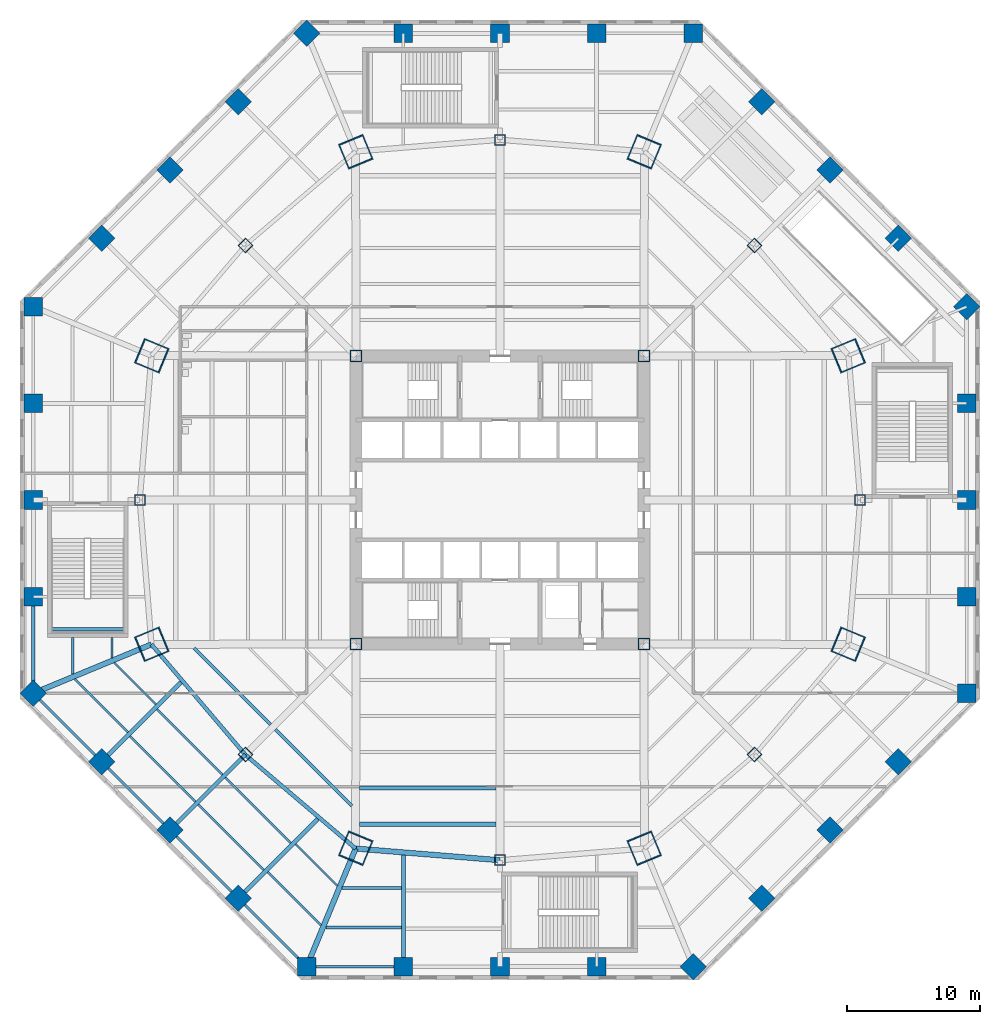
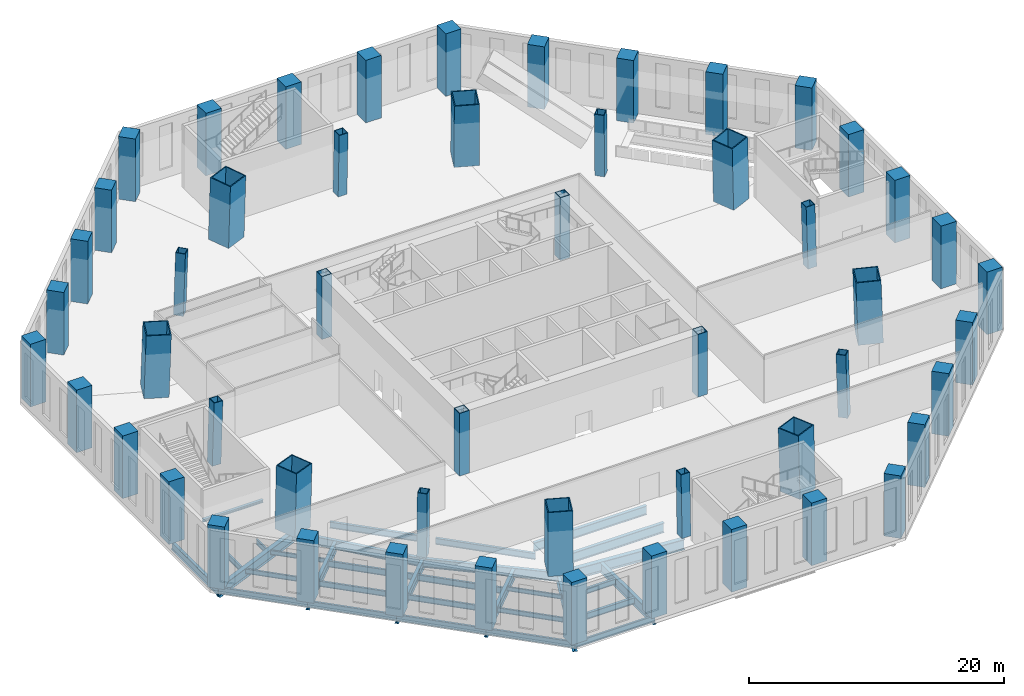
# One storey, part 1 of 20: 52 columns, 32 beams.
"""IFC4 building model written with IfcOpenShell, lengths in metres."""

import ifcopenshell
import ifcopenshell.guid

model = None  # the IFC model being written
_history = None  # IfcOwnerHistory: only IFC2X3 demands one
_inside = {}  # id of a spatial element -> (the spatial element, [elements in it])
_under = {}  # id of a project, library or spatial element -> (it, [spatial elements below it])
_declared = {}  # id of a project -> (the project, [libraries it declares])
_typed = {}  # id of a type object -> (the type object, [elements of that type])
_made_of = {}  # id of a material, layer set ... -> (it, [elements and type objects made of it])


def new_model(schema):
    """Start an empty IFC model of exactly this schema.

    Asked for "IFC4X3", IfcOpenShell would pick the latest addendum, in which some entities
    have other attributes; the version numbers below select the first issue.
    IFC2X3 requires an IfcOwnerHistory on every rooted entity: one is made here for all.
    """
    global model, _history
    if schema == "IFC4X3":
        model = ifcopenshell.file(schema_version=(4, 3, 0, 0))
    else:
        model = ifcopenshell.file(schema=schema)
    _inside.clear()
    _under.clear()
    _declared.clear()
    _typed.clear()
    _made_of.clear()
    _history = None
    if model.schema == "IFC2X3":
        org = make("IfcOrganization", Name="unknown")
        user = make(
            "IfcPersonAndOrganization",
            ThePerson=make("IfcPerson", FamilyName="unknown"),
            TheOrganization=org,
        )
        app = make(
            "IfcApplication",
            ApplicationDeveloper=org,
            Version="unknown",
            ApplicationFullName="unknown",
            ApplicationIdentifier="unknown",
        )
        _history = make(
            "IfcOwnerHistory",
            OwningUser=user,
            OwningApplication=app,
            ChangeAction="ADDED",
            CreationDate=0,
        )
    return model


def make(cls, **values):
    """One entity of the class cls with the attributes given. An attribute that is None is left unset."""
    return model.create_entity(
        cls, **{name: value for name, value in values.items() if value is not None}
    )


def rooted(cls, **values):
    """An entity with a GlobalId (a new one), such as an element, a storey or a relation."""
    return make(cls, GlobalId=ifcopenshell.guid.new(), OwnerHistory=_history, **values)


def si_unit(unit_type, name, prefix=None):
    """IfcSIUnit, for example si_unit("LENGTHUNIT", "METRE", prefix="MILLI")."""
    return make("IfcSIUnit", UnitType=unit_type, Prefix=prefix, Name=name)


def assignment(units):
    """IfcUnitAssignment: the units of a project."""
    return None if units is None else make("IfcUnitAssignment", Units=units)


def point(xyz):
    """IfcCartesianPoint."""
    return None if xyz is None else make("IfcCartesianPoint", Coordinates=xyz)


def direction(xyz):
    """IfcDirection."""
    return None if xyz is None else make("IfcDirection", DirectionRatios=xyz)


def frame(location, z_axis=None, x_axis=None):
    """IfcAxis2Placement3D, a coordinate frame: its origin and axes. An axis left out is left unset."""
    return make(
        "IfcAxis2Placement3D",
        Location=point(location),
        Axis=direction(z_axis),
        RefDirection=direction(x_axis),
    )


def frame_2d(location, x_axis=None):
    """IfcAxis2Placement2D, a coordinate frame in the plane: its origin and x axis."""
    return make(
        "IfcAxis2Placement2D", Location=point(location), RefDirection=direction(x_axis)
    )


def origin():
    """The frame at (0, 0, 0) with its axes left unset."""
    return frame((0.0, 0.0, 0.0))


def origin_2d():
    """The frame at (0, 0) in the plane with its x axis left unset."""
    return frame_2d((0.0, 0.0))


def place(relative_to, where):
    """IfcLocalPlacement: puts the frame where relative to a parent placement (None: the world)."""
    return make(
        "IfcLocalPlacement", PlacementRelTo=relative_to, RelativePlacement=where
    )


def context(
    kind, dimensions, precision=None, world=None, true_north=None, identifier=None
):
    """IfcGeometricRepresentationContext, for example the 3D "Model" context."""
    return make(
        "IfcGeometricRepresentationContext",
        ContextIdentifier=identifier,
        ContextType=kind,
        CoordinateSpaceDimension=dimensions,
        Precision=precision,
        WorldCoordinateSystem=world,
        TrueNorth=true_north,
    )


def subcontext(parent, identifier, kind, view, scale=None):
    """IfcGeometricRepresentationSubContext, for example "Body" below "Model"."""
    return make(
        "IfcGeometricRepresentationSubContext",
        ContextIdentifier=identifier,
        ContextType=kind,
        ParentContext=parent,
        TargetScale=scale,
        TargetView=view,
    )


def project(units=None, contexts=None):
    """IfcProject with its units and contexts."""
    return rooted(
        "IfcProject",
        Name="project",
        RepresentationContexts=contexts,
        UnitsInContext=assignment(units),
    )


def spatial(cls, under=None, at=None, **own):
    """A site, building, storey or space (cls), placed at a placement, below another one or the project."""
    s = rooted(cls, ObjectPlacement=at, **own)
    if under is not None:
        _under.setdefault(under.id(), (under, []))[1].append(s)
    return s


def profile(cls, at=None, kind="AREA", **sizes):
    """A parametric profile (cls). Its sizes go by their IFC names, for example OverallWidth=200.0."""
    return make(cls, ProfileType=kind, Position=at, **sizes)


def rectangle(**sizes):
    """IfcRectangleProfileDef."""
    return profile("IfcRectangleProfileDef", **sizes)


def hollow_rectangle(**sizes):
    """IfcRectangleHollowProfileDef."""
    return profile("IfcRectangleHollowProfileDef", **sizes)


def i_section(**sizes):
    """IfcIShapeProfileDef."""
    return profile("IfcIShapeProfileDef", **sizes)


def extrude(swept, where, along, depth):
    """IfcExtrudedAreaSolid: the profile swept, set in the frame where, extruded along a direction by depth."""
    return make(
        "IfcExtrudedAreaSolid",
        SweptArea=swept,
        Position=where,
        ExtrudedDirection=direction(along),
        Depth=depth,
    )


def shape(context_of_items, identifier, shape_type, items):
    """IfcShapeRepresentation: the items that make up one representation, for example the "Body"."""
    return make(
        "IfcShapeRepresentation",
        ContextOfItems=context_of_items,
        RepresentationIdentifier=identifier,
        RepresentationType=shape_type,
        Items=items,
    )


def material(Name=None, Category=None):
    """IfcMaterial."""
    return make("IfcMaterial", Name=Name, Category=Category)


def material_profile(
    of_material, cross_section, Name=None, Category=None, Priority=None
):
    """IfcMaterialProfile: a cross section and its material."""
    return make(
        "IfcMaterialProfile",
        Name=Name,
        Material=of_material,
        Profile=cross_section,
        Priority=Priority,
        Category=Category,
    )


def profile_set(profiles, Name=None, composite=None):
    """IfcMaterialProfileSet."""
    return make(
        "IfcMaterialProfileSet",
        Name=Name,
        MaterialProfiles=profiles,
        CompositeProfile=composite,
    )


def made_of(thing, what):
    """Note that an element or type object is made of a material, layer set ...; save() writes the relation."""
    if what is not None:
        _made_of.setdefault(what.id(), (what, []))[1].append(thing)
    return thing


def type_object(cls, material=None, **own):
    """A type object (cls), such as IfcWallType, which elements share."""
    return made_of(rooted(cls, **own), material)


def element(
    cls,
    number,
    at=None,
    inside=None,
    cuts=None,
    type_object=None,
    material=None,
    context=None,
    identifier="Body",
    shape_type=None,
    held_by="IfcProductDefinitionShape",
    body=None,
    shapes=None,
    **own,
):
    """One element of the class cls, such as IfcWall. Its Tag is "e" and its number.

    at: its placement. inside: the storey or other place that contains it. cuts: it is an
    opening in that element (IfcRelVoidsElement). A single representation is given by context,
    identifier, shape_type and body (its items); several are given by shapes. held_by: the class
    of the entity that holds the representations. save() writes the other relations.
    """
    e = rooted(cls, Tag="e%d" % number, ObjectPlacement=at, **own)
    if body is not None:
        shapes = [shape(context, identifier, shape_type, body)]
    if shapes is not None:
        e.Representation = make(held_by, Representations=shapes)
    if inside is not None:
        _inside.setdefault(inside.id(), (inside, []))[1].append(e)
    if cuts is not None:
        rooted(
            "IfcRelVoidsElement", RelatingBuildingElement=cuts, RelatedOpeningElement=e
        )
    if type_object is not None:
        _typed.setdefault(type_object.id(), (type_object, []))[1].append(e)
    return made_of(e, material)


def aggregate(whole, parts):
    """IfcRelAggregates: a whole, such as a stair, and the parts it consists of."""
    return rooted("IfcRelAggregates", RelatingObject=whole, RelatedObjects=parts)


def save(model, path):
    """Write the relations noted so far, then the file.

    IfcRelAggregates (storeys below a building ...), IfcRelContainedInSpatialStructure (elements
    in a storey), IfcRelDefinesByType, IfcRelAssociatesMaterial and IfcRelDeclares: one each for
    every whole, place, type object, material and project.
    """
    for whole, parts in _under.values():
        aggregate(whole, parts)
    for where, things in _inside.values():
        rooted(
            "IfcRelContainedInSpatialStructure",
            RelatedElements=things,
            RelatingStructure=where,
        )
    for kind, things in _typed.values():
        rooted("IfcRelDefinesByType", RelatedObjects=things, RelatingType=kind)
    for what, things in _made_of.values():
        rooted("IfcRelAssociatesMaterial", RelatedObjects=things, RelatingMaterial=what)
    for by, libraries in _declared.values():
        rooted("IfcRelDeclares", RelatingContext=by, RelatedDefinitions=libraries)
    model.write(path)


model = new_model("IFC4")

# Units and contexts
model_context = context("Model", 3, precision=1e-05, world=origin(), true_north=direction((0.0, 1.0)))
body_context = subcontext(model_context, "Body", "Model", "MODEL_VIEW")
ifc_project = project(units=[si_unit("LENGTHUNIT", "METRE"), si_unit("AREAUNIT", "SQUARE_METRE"), si_unit("VOLUMEUNIT", "CUBIC_METRE"), si_unit("PLANEANGLEUNIT", "RADIAN"), si_unit("MASSUNIT", "GRAM", prefix="KILO")], contexts=[model_context])

# Site, building, storey
site_placement = place(None, origin())
site = spatial("IfcSite", under=ifc_project, at=site_placement, CompositionType="ELEMENT")
building_placement = place(site_placement, origin())
building = spatial("IfcBuilding", under=site, at=building_placement, Name="Mashrafa Tower", CompositionType="ELEMENT")
storey_placement = place(building_placement, frame((0.0, 0.0, 7.199951171875)))
storey = spatial("IfcBuildingStorey", under=building, at=storey_placement, Name="L01", CompositionType="ELEMENT", Elevation=7.199951171875)

# Columns
ifc_material_1 = material(Name="Steel ASTM A572 Gr 50", Category="steel")
ifc_material_profile_1 = material_profile(ifc_material_1, hollow_rectangle(XDim=0.89990234375, YDim=0.89990234375, WallThickness=0.06005859375, at=origin_2d()), Name="BOX900X900X60")
ifc_profile_set_1 = profile_set([ifc_material_profile_1], Name="Steel ASTM A572 Gr 50")
column_type_1 = type_object("IfcColumnType", Name="Core corner column BOX900X900X60", PredefinedType="COLUMN", material=ifc_profile_set_1)
for number, where, z_axis, x_axis, name in (
    (1, (10.800048828125, 10.800048828125, 0.0), (0.0, 0.0, 1.0), (1.0, 0.0, 0.0), "Core corner column CC-NE L01"),
    (2, (-10.800048828125, 10.800048828125, 0.0), (0.0, 0.0, 1.0), (1.0, 0.0, 0.0), "Core corner column CC-NW L01"),
    (3, (-10.800048828125, -10.800048828125, 0.0), (0.0, 0.0, 1.0), (1.0, 0.0, 0.0), "Core corner column CC-SW L01"),
    (4, (10.800048828125, -10.800048828125, 0.0), (0.0, 0.0, 1.0), (1.0, 0.0, 0.0), "Core corner column CC-SE L01"),
):
    element("IfcColumn", number, at=place(storey_placement, frame(where, z_axis=z_axis, x_axis=x_axis)), inside=storey, type_object=column_type_1, Name=name, PredefinedType="COLUMN", context=body_context, shape_type="SweptSolid", body=[
        extrude(hollow_rectangle(XDim=0.89990234375, YDim=0.89990234375, WallThickness=0.06005859375, at=origin_2d()), origin(), (0.0, 0.0, 1.0), 6.0),
    ])
ifc_material_2 = material(Name="Steel ASTM A572 Gr 50", Category="steel")
ifc_material_profile_2 = material_profile(ifc_material_2, hollow_rectangle(XDim=2.0, YDim=2.0, WallThickness=0.090087890625, at=origin_2d()), Name="BOX2000X2000X90")
ifc_profile_set_2 = profile_set([ifc_material_profile_2], Name="Steel ASTM A572 Gr 50")
column_type_2 = type_object("IfcColumnType", Name="Mega column CFST BOX2000X2000X90", PredefinedType="COLUMN", material=ifc_profile_set_2)
for number, where, z_axis, x_axis, name in (
    (5, (26.1328125, 10.824462890625, 0.0), (-0.028266381762, -0.011713263234, 0.999531795956), (0.38282136346, -0.923822387517, 0.0), "Mega column MC1 L01"),
    (6, (10.824462890625, 26.1328125, 0.0), (-0.011713263234, -0.028266381762, 0.999531795956), (0.923822387517, -0.38282136346, 0.0), "Mega column MC2 L01"),
    (7, (-10.824462890625, 26.1328125, 0.0), (0.011713263234, -0.028266381762, 0.999531795956), (0.923822387517, 0.38282136346, 0.0), "Mega column MC3 L01"),
    (8, (-26.1328125, 10.824462890625, 0.0), (0.028266381762, -0.011713263234, 0.999531795956), (0.38282136346, 0.923822387517, 0.0), "Mega column MC4 L01"),
    (9, (-26.1328125, -10.824462890625, 0.0), (0.028266381762, 0.011713263234, 0.999531795956), (-0.38282136346, 0.923822387517, 0.0), "Mega column MC5 L01"),
    (10, (-10.824462890625, -26.1328125, 0.0), (0.011713263234, 0.028266381762, 0.999531795956), (-0.923822387517, 0.38282136346, 0.0), "Mega column MC6 L01"),
    (11, (10.824462890625, -26.1328125, 0.0), (-0.011713263234, 0.028266381762, 0.999531795956), (-0.923822387517, -0.38282136346, 0.0), "Mega column MC7 L01"),
    (12, (26.1328125, -10.824462890625, 0.0), (-0.028266381762, 0.011713263234, 0.999531795956), (-0.38282136346, -0.923822387517, 0.0), "Mega column MC8 L01"),
):
    element("IfcColumn", number, at=place(storey_placement, frame(where, z_axis=z_axis, x_axis=x_axis)), inside=storey, type_object=column_type_2, Name=name, PredefinedType="COLUMN", context=body_context, shape_type="SweptSolid", body=[
        extrude(hollow_rectangle(XDim=2.0, YDim=2.0, WallThickness=0.090087890625, at=origin_2d()), origin(), (0.0, 0.0, 1.0), 6.0029296875),
    ])
ifc_material_3 = material(Name="Concrete C50/60", Category="concrete")
ifc_material_profile_3 = material_profile(ifc_material_3, rectangle(XDim=1.39990234375, YDim=1.39990234375, at=origin_2d()), Name="RC1400X1400")
ifc_profile_set_3 = profile_set([ifc_material_profile_3], Name="Concrete C50/60")
column_type_3 = type_object("IfcColumnType", Name="Podium column RC1400X1400", PredefinedType="COLUMN", material=ifc_profile_set_3)
for number, where, z_axis, x_axis, name in (
    (13, (35.0, -14.49755859375, 0.0), (0.0, 0.0, 1.0), (1.0, 0.0, 0.0), "Podium column PC01 L01"),
    (14, (35.0, -7.248779296875, 0.0), (0.0, 0.0, 1.0), (1.0, 0.0, 0.0), "Podium column PC02 L01"),
    (15, (35.0, 0.0, 0.0), (0.0, 0.0, 1.0), (1.0, 0.0, 0.0), "Podium column PC03 L01"),
    (16, (35.0, 7.248779296875, 0.0), (0.0, 0.0, 1.0), (1.0, 0.0, 0.0), "Podium column PC04 L01"),
    (17, (35.0, 14.49755859375, 0.0), (0.0, 0.0, 1.0), (0.707106781187, 0.707106781187, 0.0), "Podium column PC05 L01"),
    (18, (29.874267578125, 19.623046875, 0.0), (0.0, 0.0, 1.0), (0.707106781187, 0.707106781187, 0.0), "Podium column PC06 L01"),
    (19, (24.748779296875, 24.748779296875, 0.0), (0.0, 0.0, 1.0), (0.707106781187, 0.707106781187, 0.0), "Podium column PC07 L01"),
    (20, (19.623046875, 29.874267578125, 0.0), (0.0, 0.0, 1.0), (0.707106781187, 0.707106781187, 0.0), "Podium column PC08 L01"),
    (21, (14.49755859375, 35.0, 0.0), (0.0, 0.0, 1.0), (1.0, 0.0, 0.0), "Podium column PC09 L01"),
    (22, (7.248779296875, 35.0, 0.0), (0.0, 0.0, 1.0), (1.0, 0.0, 0.0), "Podium column PC10 L01"),
    (23, (0.0, 35.0, 0.0), (0.0, 0.0, 1.0), (1.0, 0.0, 0.0), "Podium column PC11 L01"),
    (24, (-7.248779296875, 35.0, 0.0), (0.0, 0.0, 1.0), (1.0, 0.0, 0.0), "Podium column PC12 L01"),
    (25, (-14.49755859375, 35.0, 0.0), (0.0, 0.0, 1.0), (0.707106781187, 0.707106781187, 0.0), "Podium column PC13 L01"),
    (26, (-19.623046875, 29.874267578125, 0.0), (0.0, 0.0, 1.0), (0.707106781187, 0.707106781187, 0.0), "Podium column PC14 L01"),
    (27, (-24.748779296875, 24.748779296875, 0.0), (0.0, 0.0, 1.0), (0.707106781187, 0.707106781187, 0.0), "Podium column PC15 L01"),
    (28, (-29.874267578125, 19.623046875, 0.0), (0.0, 0.0, 1.0), (0.707106781187, 0.707106781187, 0.0), "Podium column PC16 L01"),
    (29, (-35.0, 14.49755859375, 0.0), (0.0, 0.0, 1.0), (1.0, 0.0, 0.0), "Podium column PC17 L01"),
    (30, (-35.0, 7.248779296875, 0.0), (0.0, 0.0, 1.0), (1.0, 0.0, 0.0), "Podium column PC18 L01"),
    (31, (-35.0, 0.0, 0.0), (0.0, 0.0, 1.0), (1.0, 0.0, 0.0), "Podium column PC19 L01"),
    (32, (-35.0, -7.248779296875, 0.0), (0.0, 0.0, 1.0), (1.0, 0.0, 0.0), "Podium column PC20 L01"),
    (33, (-35.0, -14.49755859375, 0.0), (0.0, 0.0, 1.0), (0.707106781187, 0.707106781187, 0.0), "Podium column PC21 L01"),
    (34, (-29.874267578125, -19.623046875, 0.0), (0.0, 0.0, 1.0), (0.707106781187, 0.707106781187, 0.0), "Podium column PC22 L01"),
    (35, (-24.748779296875, -24.748779296875, 0.0), (0.0, 0.0, 1.0), (0.707106781187, 0.707106781187, 0.0), "Podium column PC23 L01"),
    (36, (-19.623046875, -29.874267578125, 0.0), (0.0, 0.0, 1.0), (0.707106781187, 0.707106781187, 0.0), "Podium column PC24 L01"),
    (37, (-14.49755859375, -35.0, 0.0), (0.0, 0.0, 1.0), (1.0, 0.0, 0.0), "Podium column PC25 L01"),
    (38, (-7.248779296875, -35.0, 0.0), (0.0, 0.0, 1.0), (1.0, 0.0, 0.0), "Podium column PC26 L01"),
    (39, (0.0, -35.0, 0.0), (0.0, 0.0, 1.0), (1.0, 0.0, 0.0), "Podium column PC27 L01"),
    (40, (7.248779296875, -35.0, 0.0), (0.0, 0.0, 1.0), (1.0, 0.0, 0.0), "Podium column PC28 L01"),
    (41, (14.49755859375, -35.0, 0.0), (0.0, 0.0, 1.0), (0.707106781187, 0.707106781187, 0.0), "Podium column PC29 L01"),
    (42, (19.623046875, -29.874267578125, 0.0), (0.0, 0.0, 1.0), (0.707106781187, 0.707106781187, 0.0), "Podium column PC30 L01"),
    (43, (24.748779296875, -24.748779296875, 0.0), (0.0, 0.0, 1.0), (0.707106781187, 0.707106781187, 0.0), "Podium column PC31 L01"),
    (44, (29.874267578125, -19.623046875, 0.0), (0.0, 0.0, 1.0), (0.707106781187, 0.707106781187, 0.0), "Podium column PC32 L01"),
):
    element("IfcColumn", number, at=place(storey_placement, frame(where, z_axis=z_axis, x_axis=x_axis)), inside=storey, type_object=column_type_3, Name=name, PredefinedType="COLUMN", context=body_context, shape_type="SweptSolid", body=[
        extrude(rectangle(XDim=1.39990234375, YDim=1.39990234375, at=origin_2d()), origin(), (0.0, 0.0, 1.0), 6.0),
    ])
ifc_material_4 = material(Name="Steel ASTM A572 Gr 50", Category="steel")
ifc_material_profile_4 = material_profile(ifc_material_4, hollow_rectangle(XDim=0.800048828125, YDim=0.800048828125, WallThickness=0.050048828125, at=origin_2d()), Name="BOX800X800X50")
ifc_profile_set_4 = profile_set([ifc_material_profile_4], Name="Steel ASTM A572 Gr 50")
column_type_4 = type_object("IfcColumnType", Name="Secondary column BOX800X800X50", PredefinedType="COLUMN", material=ifc_profile_set_4)
for number, where, z_axis, x_axis, name in (
    (45, (27.010986328125, 0.0, 0.0), (-0.028268321043, 0.0, 0.999600371161), (0.0, -1.0, 0.0), "Secondary column SC1 L01"),
    (46, (19.099609375, 19.099609375, 0.0), (-0.019970871281, -0.019970871281, 0.999601084734), (0.707106781187, -0.707106781187, 0.0), "Secondary column SC2 L01"),
    (47, (0.0, 27.010986328125, 0.0), (0.0, -0.028268321043, 0.999600371161), (1.0, 0.0, 0.0), "Secondary column SC3 L01"),
    (48, (-19.099609375, 19.099609375, 0.0), (0.019970871281, -0.019970871281, 0.999601084734), (0.707106781187, 0.707106781187, 0.0), "Secondary column SC4 L01"),
    (49, (-27.010986328125, 0.0, 0.0), (0.028268321043, 0.0, 0.999600371161), (0.0, 1.0, 0.0), "Secondary column SC5 L01"),
    (50, (-19.099609375, -19.099609375, 0.0), (0.019970871281, 0.019970871281, 0.999601084734), (-0.707106781187, 0.707106781187, 0.0), "Secondary column SC6 L01"),
    (51, (0.0, -27.010986328125, 0.0), (0.0, 0.028268321043, 0.999600371161), (-1.0, 0.0, 0.0), "Secondary column SC7 L01"),
    (52, (19.099609375, -19.099609375, 0.0), (-0.019970871281, 0.019970871281, 0.999601084734), (-0.707106781187, -0.707106781187, 0.0), "Secondary column SC8 L01"),
):
    element("IfcColumn", number, at=place(storey_placement, frame(where, z_axis=z_axis, x_axis=x_axis)), inside=storey, type_object=column_type_4, Name=name, PredefinedType="COLUMN", context=body_context, shape_type="SweptSolid", body=[
        extrude(hollow_rectangle(XDim=0.800048828125, YDim=0.800048828125, WallThickness=0.050048828125, at=origin_2d()), origin(), (0.0, 0.0, 1.0), 6.00244140625),
    ])

# Beams
ifc_material_5 = material(Name="Steel ASTM A992", Category="steel")
ifc_material_profile_5 = material_profile(ifc_material_5, i_section(OverallWidth=0.140380859375, OverallDepth=0.40380859375, WebThickness=0.007080078125, FlangeThickness=0.01123046875, FilletRadius=0.01025390625, at=origin_2d()), Name="W16X31")
ifc_profile_set_5 = profile_set([ifc_material_profile_5], Name="Steel ASTM A992")
beam_type_1 = type_object("IfcBeamType", Name="Beam W16X31", PredefinedType="BEAM", material=ifc_profile_set_5)
for number, where, z_axis, x_axis, name in (
    (53, (-25.80712890625, -15.33837890625, -0.501953125), (-0.707106781187, 0.707106781187, 0.0), (-0.707106781187, -0.707106781187, 0.0), "Floor beam L01 012"),
    (54, (-12.204833984375, -28.940673828125, -0.501953125), (-0.707106781187, 0.707106781187, 0.0), (-0.707106781187, -0.707106781187, 0.0), "Floor beam L01 042"),
):
    element("IfcBeam", number, at=place(storey_placement, frame(where, z_axis=z_axis, x_axis=x_axis)), inside=storey, type_object=beam_type_1, Name=name, PredefinedType="BEAM", context=body_context, shape_type="SweptSolid", body=[
        extrude(i_section(OverallWidth=0.140380859375, OverallDepth=0.40380859375, WebThickness=0.007080078125, FlangeThickness=0.01123046875, FilletRadius=0.01025390625, at=origin_2d()), origin(), (0.0, 0.0, 1.0), 4.431396484375),
    ])
ifc_material_6 = material(Name="Steel ASTM A992", Category="steel")
ifc_material_profile_6 = material_profile(ifc_material_6, i_section(OverallWidth=0.15234375, OverallDepth=0.449462890625, WebThickness=0.007568359375, FlangeThickness=0.0107421875, FilletRadius=0.01025390625, at=origin_2d()), Name="W18X35")
ifc_profile_set_6 = profile_set([ifc_material_profile_6], Name="Steel ASTM A992")
beam_type_2 = type_object("IfcBeamType", Name="Beam W18X35", PredefinedType="BEAM", material=ifc_profile_set_6)
for number, where, z_axis, x_axis, name in (
    (55, (-27.89501953125, -17.426513671875, -0.524658203125), (-0.707106781187, 0.707106781187, 0.0), (-0.707106781187, -0.707106781187, 0.0), "Floor beam L01 010"),
    (56, (-13.427978515625, -31.8935546875, -0.524658203125), (-0.707106781187, 0.707106781187, 0.0), (-0.707106781187, -0.707106781187, 0.0), "Floor beam L01 038"),
):
    element("IfcBeam", number, at=place(storey_placement, frame(where, z_axis=z_axis, x_axis=x_axis)), inside=storey, type_object=beam_type_2, Name=name, PredefinedType="BEAM", context=body_context, shape_type="SweptSolid", body=[
        extrude(i_section(OverallWidth=0.15234375, OverallDepth=0.449462890625, WebThickness=0.007568359375, FlangeThickness=0.0107421875, FilletRadius=0.01025390625, at=origin_2d()), origin(), (0.0, 0.0, 1.0), 5.65478515625),
    ])
ifc_material_7 = material(Name="Steel ASTM A992", Category="steel")
ifc_material_profile_7 = material_profile(ifc_material_7, i_section(OverallWidth=0.1650390625, OverallDepth=0.52587890625, WebThickness=0.0087890625, FlangeThickness=0.011474609375, FilletRadius=0.0126953125, at=origin_2d()), Name="W21X44")
ifc_profile_set_7 = profile_set([ifc_material_profile_7], Name="Steel ASTM A992")
beam_type_3 = type_object("IfcBeamType", Name="Beam W21X44", PredefinedType="BEAM", material=ifc_profile_set_7)
beam_1_placement = place(storey_placement, frame((-32.047119140625, -13.05712890625, -0.562744140625), z_axis=(0.0, 1.0, 0.0), x_axis=(-1.0, 0.0, 0.0)))
element("IfcBeam", 57, at=beam_1_placement, inside=storey, type_object=beam_type_3, Name="Floor beam L01 002", PredefinedType="BEAM", context=body_context, shape_type="SweptSolid", body=[
    extrude(i_section(OverallWidth=0.1650390625, OverallDepth=0.52587890625, WebThickness=0.0087890625, FlangeThickness=0.011474609375, FilletRadius=0.0126953125, at=origin_2d()), origin(), (0.0, 0.0, 1.0), 2.757080078125),
])
beam_2_placement = place(storey_placement, frame((-29.09423828125, -11.833984375, -0.562744140625), z_axis=(0.0, 1.0, 0.0), x_axis=(-1.0, 0.0, 0.0)))
element("IfcBeam", 58, at=beam_2_placement, inside=storey, type_object=beam_type_3, Name="Floor beam L01 006", PredefinedType="BEAM", context=body_context, shape_type="SweptSolid", body=[
    extrude(i_section(OverallWidth=0.1650390625, OverallDepth=0.52587890625, WebThickness=0.0087890625, FlangeThickness=0.011474609375, FilletRadius=0.0126953125, at=origin_2d()), origin(), (0.0, 0.0, 1.0), 1.533935546875),
])
for number, where, z_axis, x_axis, name in (
    (59, (-22.837890625, -22.62060546875, -0.562744140625), (-0.707089195184, 0.707124366752, 0.0), (-0.707124366752, -0.707089195184, 0.0), "Floor beam L01 016"),
    (60, (-17.712158203125, -27.74609375, -0.562744140625), (-0.707124366752, 0.707089195184, 0.0), (-0.707089195184, -0.707124366752, 0.0), "Floor beam L01 025"),
):
    element("IfcBeam", number, at=place(storey_placement, frame(where, z_axis=z_axis, x_axis=x_axis)), inside=storey, type_object=beam_type_3, Name=name, PredefinedType="BEAM", context=body_context, shape_type="SweptSolid", body=[
        extrude(i_section(OverallWidth=0.1650390625, OverallDepth=0.52587890625, WebThickness=0.0087890625, FlangeThickness=0.011474609375, FilletRadius=0.0126953125, at=origin_2d()), origin(), (0.0, 0.0, 1.0), 6.94140625),
    ])
ifc_material_8 = material(Name="Steel ASTM A992", Category="steel")
ifc_material_profile_8 = material_profile(ifc_material_8, i_section(OverallWidth=0.209228515625, OverallDepth=0.533447265625, WebThickness=0.01025390625, FlangeThickness=0.015625, FilletRadius=0.012939453125, at=origin_2d()), Name="W21X62")
ifc_profile_set_8 = profile_set([ifc_material_profile_8], Name="Steel ASTM A992")
beam_type_4 = type_object("IfcBeamType", Name="Beam W21X62", PredefinedType="BEAM", material=ifc_profile_set_8)
beam_3_placement = place(storey_placement, frame((-7.40234375, -29.09423828125, -0.566650390625), z_axis=(-1.0, 0.0, 0.0), x_axis=(0.0, -1.0, 0.0)))
element("IfcBeam", 61, at=beam_3_placement, inside=storey, type_object=beam_type_4, Name="Floor beam L01 053", PredefinedType="BEAM", context=body_context, shape_type="SweptSolid", body=[
    extrude(i_section(OverallWidth=0.209228515625, OverallDepth=0.533447265625, WebThickness=0.01025390625, FlangeThickness=0.015625, FilletRadius=0.012939453125, at=origin_2d()), origin(), (0.0, 0.0, 1.0), 4.431640625),
])
ifc_material_9 = material(Name="Steel ASTM A992", Category="steel")
ifc_material_profile_9 = material_profile(ifc_material_9, i_section(OverallWidth=0.177978515625, OverallDepth=0.599365234375, WebThickness=0.010009765625, FlangeThickness=0.012939453125, FilletRadius=0.012939453125, at=origin_2d()), Name="W24X55")
ifc_profile_set_9 = profile_set([ifc_material_profile_9], Name="Steel ASTM A992")
beam_type_5 = type_object("IfcBeamType", Name="Beam W24X55", PredefinedType="BEAM", material=ifc_profile_set_9)
for number, where, z_axis, x_axis, name in (
    (62, (-20.818359375, -20.600830078125, -0.599609375), (-0.707106781187, 0.707106781187, 0.0), (-0.707106781187, -0.707106781187, 0.0), "Floor beam L01 020"),
    (63, (-15.692626953125, -25.7265625, -0.599609375), (-0.707106781187, 0.707106781187, 0.0), (-0.707106781187, -0.707106781187, 0.0), "Floor beam L01 031"),
):
    element("IfcBeam", number, at=place(storey_placement, frame(where, z_axis=z_axis, x_axis=x_axis)), inside=storey, type_object=beam_type_5, Name=name, PredefinedType="BEAM", context=body_context, shape_type="SweptSolid", body=[
        extrude(i_section(OverallWidth=0.177978515625, OverallDepth=0.599365234375, WebThickness=0.010009765625, FlangeThickness=0.012939453125, FilletRadius=0.012939453125, at=origin_2d()), origin(), (0.0, 0.0, 1.0), 6.941162109375),
    ])
beam_4_placement = place(storey_placement, frame((-35.0, -14.49755859375, -0.599609375), z_axis=(0.707106781187, -0.707106781187, 0.0), x_axis=(0.707106781187, 0.707106781187, 0.0)))
element("IfcBeam", 64, at=beam_4_placement, inside=storey, type_object=beam_type_5, Name="Podium edge beam L01 119", PredefinedType="BEAM", context=body_context, shape_type="SweptSolid", body=[
    extrude(i_section(OverallWidth=0.177978515625, OverallDepth=0.599365234375, WebThickness=0.010009765625, FlangeThickness=0.012939453125, FilletRadius=0.012939453125, at=origin_2d()), origin(), (0.0, 0.0, 1.0), 7.24853515625),
])
for number, where, z_axis, x_axis, name in (
    (65, (-29.87451171875, -19.623046875, -0.599609375), (0.707106781187, -0.707106781187, 0.0), (0.707106781187, 0.707106781187, 0.0), "Podium edge beam L01 124"),
    (66, (-24.748779296875, -24.748779296875, -0.599609375), (0.707106781187, -0.707106781187, 0.0), (0.707106781187, 0.707106781187, 0.0), "Podium edge beam L01 126"),
):
    element("IfcBeam", number, at=place(storey_placement, frame(where, z_axis=z_axis, x_axis=x_axis)), inside=storey, type_object=beam_type_5, Name=name, PredefinedType="BEAM", context=body_context, shape_type="SweptSolid", body=[
        extrude(i_section(OverallWidth=0.177978515625, OverallDepth=0.599365234375, WebThickness=0.010009765625, FlangeThickness=0.012939453125, FilletRadius=0.012939453125, at=origin_2d()), origin(), (0.0, 0.0, 1.0), 7.248779296875),
    ])
beam_5_placement = place(storey_placement, frame((-19.623046875, -29.87451171875, -0.599609375), z_axis=(0.707106781187, -0.707106781187, 0.0), x_axis=(0.707106781187, 0.707106781187, 0.0)))
element("IfcBeam", 67, at=beam_5_placement, inside=storey, type_object=beam_type_5, Name="Podium edge beam L01 128", PredefinedType="BEAM", context=body_context, shape_type="SweptSolid", body=[
    extrude(i_section(OverallWidth=0.177978515625, OverallDepth=0.599365234375, WebThickness=0.010009765625, FlangeThickness=0.012939453125, FilletRadius=0.012939453125, at=origin_2d()), origin(), (0.0, 0.0, 1.0), 7.24853515625),
])
beam_6_placement = place(storey_placement, frame((-14.49755859375, -35.0, -0.599609375), z_axis=(1.0, 0.0, 0.0), x_axis=(0.0, 1.0, 0.0)))
element("IfcBeam", 68, at=beam_6_placement, inside=storey, type_object=beam_type_5, Name="Podium edge beam L01 130", PredefinedType="BEAM", context=body_context, shape_type="SweptSolid", body=[
    extrude(i_section(OverallWidth=0.177978515625, OverallDepth=0.599365234375, WebThickness=0.010009765625, FlangeThickness=0.012939453125, FilletRadius=0.012939453125, at=origin_2d()), origin(), (0.0, 0.0, 1.0), 7.248779296875),
])
ifc_material_10 = material(Name="Steel ASTM A992", Category="steel")
ifc_material_profile_10 = material_profile(ifc_material_10, i_section(OverallWidth=0.227783203125, OverallDepth=0.60205078125, WebThickness=0.010498046875, FlangeThickness=0.014892578125, FilletRadius=0.012939453125, at=origin_2d()), Name="W24X68")
ifc_profile_set_10 = profile_set([ifc_material_profile_10], Name="Steel ASTM A992")
beam_type_6 = type_object("IfcBeamType", Name="Beam W24X68", PredefinedType="BEAM", material=ifc_profile_set_10)
for number, where, z_axis, x_axis, name in (
    (69, (-17.2060546875, -16.8525390625, -0.600830078125), (-0.707106781187, 0.707106781187, 0.0), (-0.707106781187, -0.707106781187, 0.0), "Floor beam L01 027"),
    (70, (-11.122314453125, -22.936279296875, -0.600830078125), (-0.707106781187, 0.707106781187, 0.0), (-0.707106781187, -0.707106781187, 0.0), "Floor beam L01 045"),
):
    element("IfcBeam", number, at=place(storey_placement, frame(where, z_axis=z_axis, x_axis=x_axis)), inside=storey, type_object=beam_type_6, Name=name, PredefinedType="BEAM", context=body_context, shape_type="SweptSolid", body=[
        extrude(i_section(OverallWidth=0.227783203125, OverallDepth=0.60205078125, WebThickness=0.010498046875, FlangeThickness=0.014892578125, FilletRadius=0.012939453125, at=origin_2d()), origin(), (0.0, 0.0, 1.0), 8.103759765625),
    ])
beam_7_placement = place(storey_placement, frame((-7.40234375, -32.047119140625, -0.600830078125), z_axis=(-1.0, 0.0, 0.0), x_axis=(0.0, -1.0, 0.0)))
element("IfcBeam", 71, at=beam_7_placement, inside=storey, type_object=beam_type_6, Name="Floor beam L01 052", PredefinedType="BEAM", context=body_context, shape_type="SweptSolid", body=[
    extrude(i_section(OverallWidth=0.227783203125, OverallDepth=0.60205078125, WebThickness=0.010498046875, FlangeThickness=0.014892578125, FilletRadius=0.012939453125, at=origin_2d()), origin(), (0.0, 0.0, 1.0), 5.65478515625),
])
ifc_material_11 = material(Name="Steel ASTM A992", Category="steel")
ifc_material_profile_11 = material_profile(ifc_material_11, i_section(OverallWidth=0.2666015625, OverallDepth=0.75439453125, WebThickness=0.01318359375, FlangeThickness=0.01708984375, FilletRadius=0.0166015625, at=origin_2d()), Name="W30X99")
ifc_profile_set_11 = profile_set([ifc_material_profile_11], Name="Steel ASTM A992")
beam_type_7 = type_object("IfcBeamType", Name="Beam W30X99", PredefinedType="BEAM", material=ifc_profile_set_11)
beam_8_placement = place(storey_placement, frame((-35.0, -7.248779296875, -0.67724609375), z_axis=(0.0, -1.0, 0.0), x_axis=(1.0, 0.0, 0.0)))
element("IfcBeam", 72, at=beam_8_placement, inside=storey, type_object=beam_type_7, Name="Podium edge beam L01 120", PredefinedType="BEAM", context=body_context, shape_type="SweptSolid", body=[
    extrude(i_section(OverallWidth=0.2666015625, OverallDepth=0.75439453125, WebThickness=0.01318359375, FlangeThickness=0.01708984375, FilletRadius=0.0166015625, at=origin_2d()), origin(), (0.0, 0.0, 1.0), 7.248779296875),
])
ifc_material_12 = material(Name="Steel ASTM A992", Category="steel")
ifc_material_profile_12 = material_profile(ifc_material_12, i_section(OverallWidth=0.2919921875, OverallDepth=0.8408203125, WebThickness=0.0146484375, FlangeThickness=0.021728515625, FilletRadius=0.017333984375, at=origin_2d()), Name="W33X130")
ifc_profile_set_12 = profile_set([ifc_material_profile_12], Name="Steel ASTM A992")
beam_type_8 = type_object("IfcBeamType", Name="Beam W33X130", PredefinedType="BEAM", material=ifc_profile_set_12)
for number, where, z_axis, x_axis, name in (
    (73, (-26.141357421875, -10.828125, -0.72021484375), (0.647632111398, -0.761953179851, 0.0), (0.761953179851, 0.647632111398, 0.0), "Podium ring girder L01 194"),
    (74, (-19.105712890625, -19.105712890625, -0.72021484375), (0.761953179851, -0.647632111398, 0.0), (0.647632111398, 0.761953179851, 0.0), "Podium ring girder L01 196"),
):
    element("IfcBeam", number, at=place(storey_placement, frame(where, z_axis=z_axis, x_axis=x_axis)), inside=storey, type_object=beam_type_8, Name=name, PredefinedType="BEAM", context=body_context, shape_type="SweptSolid", body=[
        extrude(i_section(OverallWidth=0.2919921875, OverallDepth=0.8408203125, WebThickness=0.0146484375, FlangeThickness=0.021728515625, FilletRadius=0.017333984375, at=origin_2d()), origin(), (0.0, 0.0, 1.0), 10.863525390625),
    ])
ifc_material_13 = material(Name="Steel ASTM A992", Category="steel")
ifc_material_profile_13 = material_profile(ifc_material_13, i_section(OverallWidth=0.2919921875, OverallDepth=0.845703125, WebThickness=0.015380859375, FlangeThickness=0.0244140625, FilletRadius=0.017333984375, at=origin_2d()), Name="W33X141")
ifc_profile_set_13 = profile_set([ifc_material_profile_13], Name="Steel ASTM A992")
beam_type_9 = type_object("IfcBeamType", Name="Beam W33X141", PredefinedType="BEAM", material=ifc_profile_set_13)
beam_9_placement = place(storey_placement, frame((-0.300048828125, -21.613037109375, -0.722900390625), z_axis=(-1.0, 0.0, 0.0), x_axis=(0.0, -1.0, 0.0)))
element("IfcBeam", 75, at=beam_9_placement, inside=storey, type_object=beam_type_9, Name="Floor beam L01 057", PredefinedType="BEAM", context=body_context, shape_type="SweptSolid", body=[
    extrude(i_section(OverallWidth=0.2919921875, OverallDepth=0.845703125, WebThickness=0.015380859375, FlangeThickness=0.0244140625, FilletRadius=0.017333984375, at=origin_2d()), origin(), (0.0, 0.0, 1.0), 10.2197265625),
])
ifc_material_14 = material(Name="Steel ASTM A992", Category="steel")
ifc_material_profile_14 = material_profile(ifc_material_14, i_section(OverallWidth=0.307373046875, OverallDepth=0.927001953125, WebThickness=0.01953125, FlangeThickness=0.031982421875, FilletRadius=0.01904296875, at=origin_2d()), Name="W36X194")
ifc_profile_set_14 = profile_set([ifc_material_profile_14], Name="Steel ASTM A992")
beam_type_10 = type_object("IfcBeamType", Name="Beam W36X194", PredefinedType="BEAM", material=ifc_profile_set_14)
beam_10_placement = place(storey_placement, frame((-0.300048828125, -24.31640625, -0.763427734375), z_axis=(-1.0, 0.0, 0.0), x_axis=(0.0, -1.0, 0.0)))
element("IfcBeam", 76, at=beam_10_placement, inside=storey, type_object=beam_type_10, Name="Floor beam L01 056", PredefinedType="BEAM", context=body_context, shape_type="SweptSolid", body=[
    extrude(i_section(OverallWidth=0.307373046875, OverallDepth=0.927001953125, WebThickness=0.01953125, FlangeThickness=0.031982421875, FilletRadius=0.01904296875, at=origin_2d()), origin(), (0.0, 0.0, 1.0), 10.224853515625),
])
beam_11_placement = place(storey_placement, frame((-23.919189453125, -13.66796875, -0.763427734375), z_axis=(-0.707121275386, -0.70709228669, 0.0), x_axis=(0.70709228669, -0.707121275386, 0.0)))
element("IfcBeam", 77, at=beam_11_placement, inside=storey, type_object=beam_type_10, Name="Podium radial beam L01 158", PredefinedType="BEAM", context=body_context, shape_type="SweptSolid", body=[
    extrude(i_section(OverallWidth=0.307373046875, OverallDepth=0.927001953125, WebThickness=0.01953125, FlangeThickness=0.031982421875, FilletRadius=0.01904296875, at=origin_2d()), origin(), (0.0, 0.0, 1.0), 8.421875),
])
beam_12_placement = place(storey_placement, frame((-19.105712890625, -19.105712890625, -0.763427734375), z_axis=(-0.707106781187, -0.707106781187, 0.0), x_axis=(0.707106781187, -0.707106781187, 0.0)))
element("IfcBeam", 78, at=beam_12_placement, inside=storey, type_object=beam_type_10, Name="Podium radial beam L01 160", PredefinedType="BEAM", context=body_context, shape_type="SweptSolid", body=[
    extrude(i_section(OverallWidth=0.307373046875, OverallDepth=0.927001953125, WebThickness=0.01953125, FlangeThickness=0.031982421875, FilletRadius=0.01904296875, at=origin_2d()), origin(), (0.0, 0.0, 1.0), 7.98046875),
])
beam_13_placement = place(storey_placement, frame((-13.66796875, -23.919189453125, -0.763427734375), z_axis=(-0.70709228669, -0.707121275386, 0.0), x_axis=(0.707121275386, -0.70709228669, 0.0)))
element("IfcBeam", 79, at=beam_13_placement, inside=storey, type_object=beam_type_10, Name="Podium radial beam L01 162", PredefinedType="BEAM", context=body_context, shape_type="SweptSolid", body=[
    extrude(i_section(OverallWidth=0.307373046875, OverallDepth=0.927001953125, WebThickness=0.01953125, FlangeThickness=0.031982421875, FilletRadius=0.01904296875, at=origin_2d()), origin(), (0.0, 0.0, 1.0), 8.421875),
])
beam_14_placement = place(storey_placement, frame((-7.248779296875, -26.6328125, -0.763427734375), z_axis=(0.0, -1.0, 0.0), x_axis=(1.0, 0.0, 0.0)))
element("IfcBeam", 80, at=beam_14_placement, inside=storey, type_object=beam_type_10, Name="Podium radial beam L01 166", PredefinedType="BEAM", context=body_context, shape_type="SweptSolid", body=[
    extrude(i_section(OverallWidth=0.307373046875, OverallDepth=0.927001953125, WebThickness=0.01953125, FlangeThickness=0.031982421875, FilletRadius=0.01904296875, at=origin_2d()), origin(), (0.0, 0.0, 1.0), 8.3671875),
])
ifc_material_15 = material(Name="Steel ASTM A992", Category="steel")
ifc_material_profile_15 = material_profile(ifc_material_15, i_section(OverallWidth=0.4013671875, OverallDepth=0.98291015625, WebThickness=0.0166015625, FlangeThickness=0.027099609375, FilletRadius=0.0126953125, at=origin_2d()), Name="W40X199")
ifc_profile_set_15 = profile_set([ifc_material_profile_15], Name="Steel ASTM A992")
beam_type_11 = type_object("IfcBeamType", Name="Beam W40X199", PredefinedType="BEAM", material=ifc_profile_set_15)
for number, where, z_axis, x_axis, name in (
    (81, (-26.141357421875, -10.828125, -0.79150390625), (-0.923877183952, -0.38268910224, 0.0), (0.38268910224, -0.923877183952, 0.0), "Podium radial beam L01 156"),
    (82, (-10.828125, -26.141357421875, -0.79150390625), (-0.38268910224, -0.923877183952, 0.0), (0.923877183952, -0.38268910224, 0.0), "Podium radial beam L01 164"),
):
    element("IfcBeam", number, at=place(storey_placement, frame(where, z_axis=z_axis, x_axis=x_axis)), inside=storey, type_object=beam_type_11, Name=name, PredefinedType="BEAM", context=body_context, shape_type="SweptSolid", body=[
        extrude(i_section(OverallWidth=0.4013671875, OverallDepth=0.98291015625, WebThickness=0.0166015625, FlangeThickness=0.027099609375, FilletRadius=0.0126953125, at=origin_2d()), origin(), (0.0, 0.0, 1.0), 9.588623046875),
    ])
ifc_material_16 = material(Name="Steel ASTM A992", Category="steel")
ifc_material_profile_16 = material_profile(ifc_material_16, i_section(OverallWidth=0.4013671875, OverallDepth=1.010986328125, WebThickness=0.023681640625, FlangeThickness=0.0419921875, FilletRadius=0.02001953125, at=origin_2d()), Name="W40X297")
ifc_profile_set_16 = profile_set([ifc_material_profile_16], Name="Steel ASTM A992")
beam_type_12 = type_object("IfcBeamType", Name="Beam W40X297", PredefinedType="BEAM", material=ifc_profile_set_16)
beam_15_placement = place(storey_placement, frame((-10.828125, -26.141357421875, -0.805419921875), z_axis=(0.996727433374, -0.080835781427, 0.0), x_axis=(0.080835781427, 0.996727433374, 0.0)))
element("IfcBeam", 83, at=beam_15_placement, inside=storey, type_object=beam_type_12, Name="Podium ring girder L01 198", PredefinedType="BEAM", context=body_context, shape_type="SweptSolid", body=[
    extrude(i_section(OverallWidth=0.4013671875, OverallDepth=1.010986328125, WebThickness=0.023681640625, FlangeThickness=0.0419921875, FilletRadius=0.02001953125, at=origin_2d()), origin(), (0.0, 0.0, 1.0), 10.86376953125),
])
ifc_material_17 = material(Name="Steel ASTM A992", Category="steel")
ifc_material_profile_17 = material_profile(ifc_material_17, i_section(OverallWidth=0.25390625, OverallDepth=0.25390625, WebThickness=0.008544921875, FlangeThickness=0.01416015625, FilletRadius=0.010009765625, at=origin_2d()), Name="W10X49")
ifc_profile_set_17 = profile_set([ifc_material_profile_17], Name="Steel ASTM A992")
beam_type_13 = type_object("IfcBeamType", Name="Hoistway beam W10X49", PredefinedType="BEAM", material=ifc_profile_set_17)
beam_16_placement = place(storey_placement, frame((-33.64990234375, -9.699951171875, 2.673095703125), z_axis=(1.0, 0.0, 0.0), x_axis=(0.0, 1.0, 0.0)))
element("IfcBeam", 84, at=beam_16_placement, inside=storey, type_object=beam_type_13, Name="Stair P3 landing beam L01", PredefinedType="BEAM", context=body_context, shape_type="SweptSolid", body=[
    extrude(i_section(OverallWidth=0.25390625, OverallDepth=0.25390625, WebThickness=0.008544921875, FlangeThickness=0.01416015625, FilletRadius=0.010009765625, at=origin_2d()), origin(), (0.0, 0.0, 1.0), 5.449951171875),
])

save(model, "model.ifc")
